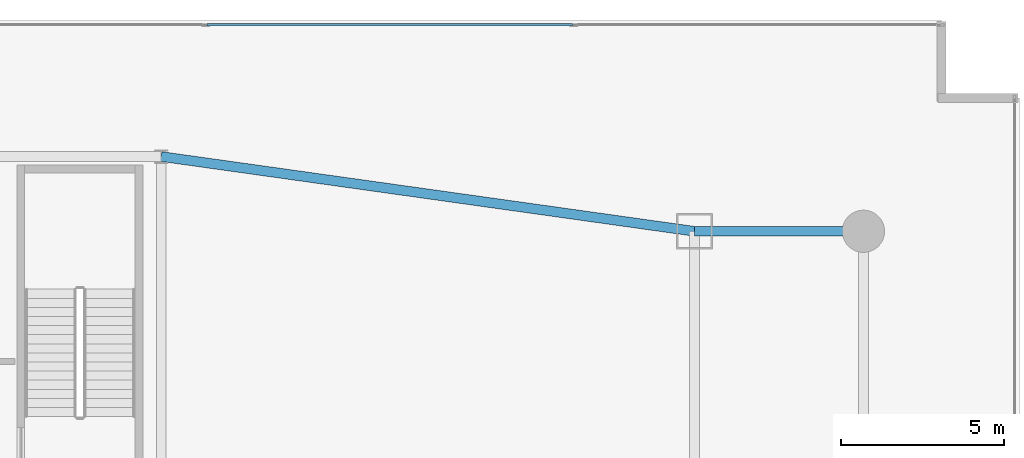
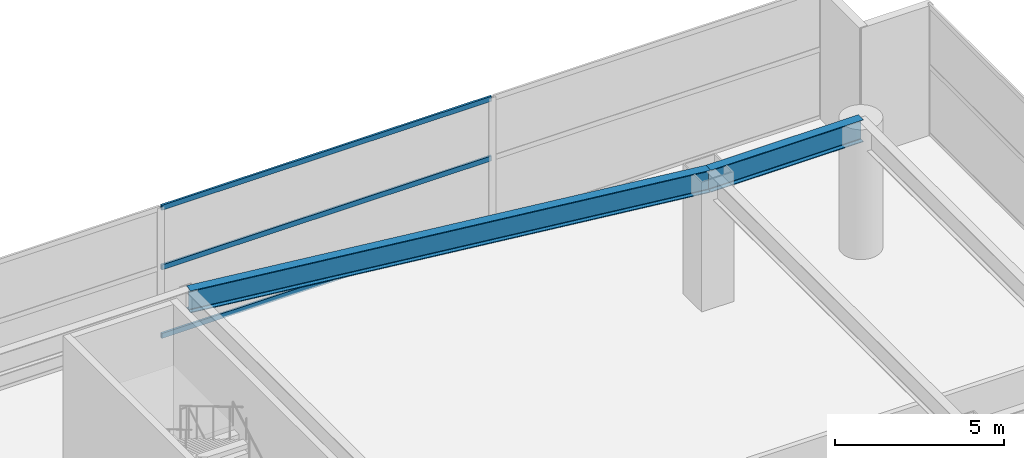
# One storey, part 27 of 35: 3 members, 2 beams, 1 element without a shape of its own.
"""IFC4 building model written with IfcOpenShell, lengths in metres."""

import ifcopenshell
import ifcopenshell.guid

model = None  # the IFC model being written
_history = None  # IfcOwnerHistory: only IFC2X3 demands one
_inside = {}  # id of a spatial element -> (the spatial element, [elements in it])
_under = {}  # id of a project, library or spatial element -> (it, [spatial elements below it])
_declared = {}  # id of a project -> (the project, [libraries it declares])
_typed = {}  # id of a type object -> (the type object, [elements of that type])
_made_of = {}  # id of a material, layer set ... -> (it, [elements and type objects made of it])


def new_model(schema):
    """Start an empty IFC model of exactly this schema.

    Asked for "IFC4X3", IfcOpenShell would pick the latest addendum, in which some entities
    have other attributes; the version numbers below select the first issue.
    IFC2X3 requires an IfcOwnerHistory on every rooted entity: one is made here for all.
    """
    global model, _history
    if schema == "IFC4X3":
        model = ifcopenshell.file(schema_version=(4, 3, 0, 0))
    else:
        model = ifcopenshell.file(schema=schema)
    _inside.clear()
    _under.clear()
    _declared.clear()
    _typed.clear()
    _made_of.clear()
    _history = None
    if model.schema == "IFC2X3":
        org = make("IfcOrganization", Name="unknown")
        user = make(
            "IfcPersonAndOrganization",
            ThePerson=make("IfcPerson", FamilyName="unknown"),
            TheOrganization=org,
        )
        app = make(
            "IfcApplication",
            ApplicationDeveloper=org,
            Version="unknown",
            ApplicationFullName="unknown",
            ApplicationIdentifier="unknown",
        )
        _history = make(
            "IfcOwnerHistory",
            OwningUser=user,
            OwningApplication=app,
            ChangeAction="ADDED",
            CreationDate=0,
        )
    return model


def make(cls, **values):
    """One entity of the class cls with the attributes given. An attribute that is None is left unset."""
    return model.create_entity(
        cls, **{name: value for name, value in values.items() if value is not None}
    )


def rooted(cls, **values):
    """An entity with a GlobalId (a new one), such as an element, a storey or a relation."""
    return make(cls, GlobalId=ifcopenshell.guid.new(), OwnerHistory=_history, **values)


def si_unit(unit_type, name, prefix=None):
    """IfcSIUnit, for example si_unit("LENGTHUNIT", "METRE", prefix="MILLI")."""
    return make("IfcSIUnit", UnitType=unit_type, Prefix=prefix, Name=name)


def assignment(units):
    """IfcUnitAssignment: the units of a project."""
    return None if units is None else make("IfcUnitAssignment", Units=units)


def point(xyz):
    """IfcCartesianPoint."""
    return None if xyz is None else make("IfcCartesianPoint", Coordinates=xyz)


def direction(xyz):
    """IfcDirection."""
    return None if xyz is None else make("IfcDirection", DirectionRatios=xyz)


def frame(location, z_axis=None, x_axis=None):
    """IfcAxis2Placement3D, a coordinate frame: its origin and axes. An axis left out is left unset."""
    return make(
        "IfcAxis2Placement3D",
        Location=point(location),
        Axis=direction(z_axis),
        RefDirection=direction(x_axis),
    )


def frame_2d(location, x_axis=None):
    """IfcAxis2Placement2D, a coordinate frame in the plane: its origin and x axis."""
    return make(
        "IfcAxis2Placement2D", Location=point(location), RefDirection=direction(x_axis)
    )


def origin():
    """The frame at (0, 0, 0) with its axes left unset."""
    return frame((0.0, 0.0, 0.0))


def origin_2d():
    """The frame at (0, 0) in the plane with its x axis left unset."""
    return frame_2d((0.0, 0.0))


def place(relative_to, where):
    """IfcLocalPlacement: puts the frame where relative to a parent placement (None: the world)."""
    return make(
        "IfcLocalPlacement", PlacementRelTo=relative_to, RelativePlacement=where
    )


def context(
    kind, dimensions, precision=None, world=None, true_north=None, identifier=None
):
    """IfcGeometricRepresentationContext, for example the 3D "Model" context."""
    return make(
        "IfcGeometricRepresentationContext",
        ContextIdentifier=identifier,
        ContextType=kind,
        CoordinateSpaceDimension=dimensions,
        Precision=precision,
        WorldCoordinateSystem=world,
        TrueNorth=true_north,
    )


def subcontext(parent, identifier, kind, view, scale=None):
    """IfcGeometricRepresentationSubContext, for example "Body" below "Model"."""
    return make(
        "IfcGeometricRepresentationSubContext",
        ContextIdentifier=identifier,
        ContextType=kind,
        ParentContext=parent,
        TargetScale=scale,
        TargetView=view,
    )


def project(units=None, contexts=None):
    """IfcProject with its units and contexts."""
    return rooted(
        "IfcProject",
        Name="project",
        RepresentationContexts=contexts,
        UnitsInContext=assignment(units),
    )


def spatial(cls, under=None, at=None, **own):
    """A site, building, storey or space (cls), placed at a placement, below another one or the project."""
    s = rooted(cls, ObjectPlacement=at, **own)
    if under is not None:
        _under.setdefault(under.id(), (under, []))[1].append(s)
    return s


def profile(cls, at=None, kind="AREA", **sizes):
    """A parametric profile (cls). Its sizes go by their IFC names, for example OverallWidth=200.0."""
    return make(cls, ProfileType=kind, Position=at, **sizes)


def hollow_rectangle(**sizes):
    """IfcRectangleHollowProfileDef."""
    return profile("IfcRectangleHollowProfileDef", **sizes)


def i_section(**sizes):
    """IfcIShapeProfileDef."""
    return profile("IfcIShapeProfileDef", **sizes)


def extrude(swept, where, along, depth):
    """IfcExtrudedAreaSolid: the profile swept, set in the frame where, extruded along a direction by depth."""
    return make(
        "IfcExtrudedAreaSolid",
        SweptArea=swept,
        Position=where,
        ExtrudedDirection=direction(along),
        Depth=depth,
    )


def shape(context_of_items, identifier, shape_type, items):
    """IfcShapeRepresentation: the items that make up one representation, for example the "Body"."""
    return make(
        "IfcShapeRepresentation",
        ContextOfItems=context_of_items,
        RepresentationIdentifier=identifier,
        RepresentationType=shape_type,
        Items=items,
    )


def material(Name=None, Category=None):
    """IfcMaterial."""
    return make("IfcMaterial", Name=Name, Category=Category)


def layer(
    of_material, thickness, ventilated=None, Name=None, Category=None, Priority=None
):
    """IfcMaterialLayer: one layer of a wall or slab, of a material (None: an air gap)."""
    return make(
        "IfcMaterialLayer",
        Material=of_material,
        LayerThickness=thickness,
        IsVentilated=ventilated,
        Name=Name,
        Category=Category,
        Priority=Priority,
    )


def layer_set(layers, Name=None):
    """IfcMaterialLayerSet."""
    return make("IfcMaterialLayerSet", MaterialLayers=layers, LayerSetName=Name)


def material_profile(
    of_material, cross_section, Name=None, Category=None, Priority=None
):
    """IfcMaterialProfile: a cross section and its material."""
    return make(
        "IfcMaterialProfile",
        Name=Name,
        Material=of_material,
        Profile=cross_section,
        Priority=Priority,
        Category=Category,
    )


def profile_set(profiles, Name=None, composite=None):
    """IfcMaterialProfileSet."""
    return make(
        "IfcMaterialProfileSet",
        Name=Name,
        MaterialProfiles=profiles,
        CompositeProfile=composite,
    )


def made_of(thing, what):
    """Note that an element or type object is made of a material, layer set ...; save() writes the relation."""
    if what is not None:
        _made_of.setdefault(what.id(), (what, []))[1].append(thing)
    return thing


def type_object(cls, material=None, **own):
    """A type object (cls), such as IfcWallType, which elements share."""
    return made_of(rooted(cls, **own), material)


def element(
    cls,
    number,
    at=None,
    inside=None,
    cuts=None,
    type_object=None,
    material=None,
    context=None,
    identifier="Body",
    shape_type=None,
    held_by="IfcProductDefinitionShape",
    body=None,
    shapes=None,
    **own,
):
    """One element of the class cls, such as IfcWall. Its Tag is "e" and its number.

    at: its placement. inside: the storey or other place that contains it. cuts: it is an
    opening in that element (IfcRelVoidsElement). A single representation is given by context,
    identifier, shape_type and body (its items); several are given by shapes. held_by: the class
    of the entity that holds the representations. save() writes the other relations.
    """
    e = rooted(cls, Tag="e%d" % number, ObjectPlacement=at, **own)
    if body is not None:
        shapes = [shape(context, identifier, shape_type, body)]
    if shapes is not None:
        e.Representation = make(held_by, Representations=shapes)
    if inside is not None:
        _inside.setdefault(inside.id(), (inside, []))[1].append(e)
    if cuts is not None:
        rooted(
            "IfcRelVoidsElement", RelatingBuildingElement=cuts, RelatedOpeningElement=e
        )
    if type_object is not None:
        _typed.setdefault(type_object.id(), (type_object, []))[1].append(e)
    return made_of(e, material)


def aggregate(whole, parts):
    """IfcRelAggregates: a whole, such as a stair, and the parts it consists of."""
    return rooted("IfcRelAggregates", RelatingObject=whole, RelatedObjects=parts)


def save(model, path):
    """Write the relations noted so far, then the file.

    IfcRelAggregates (storeys below a building ...), IfcRelContainedInSpatialStructure (elements
    in a storey), IfcRelDefinesByType, IfcRelAssociatesMaterial and IfcRelDeclares: one each for
    every whole, place, type object, material and project.
    """
    for whole, parts in _under.values():
        aggregate(whole, parts)
    for where, things in _inside.values():
        rooted(
            "IfcRelContainedInSpatialStructure",
            RelatedElements=things,
            RelatingStructure=where,
        )
    for kind, things in _typed.values():
        rooted("IfcRelDefinesByType", RelatedObjects=things, RelatingType=kind)
    for what, things in _made_of.values():
        rooted("IfcRelAssociatesMaterial", RelatedObjects=things, RelatingMaterial=what)
    for by, libraries in _declared.values():
        rooted("IfcRelDeclares", RelatingContext=by, RelatedDefinitions=libraries)
    model.write(path)


model = new_model("IFC4")

# Units and contexts
model_context = context("Model", 3, precision=1e-05, world=origin(), true_north=direction((0.0, 1.0)))
body_context = subcontext(model_context, "Body", "Model", "MODEL_VIEW")
ifc_project = project(units=[si_unit("LENGTHUNIT", "METRE"), si_unit("AREAUNIT", "SQUARE_METRE"), si_unit("VOLUMEUNIT", "CUBIC_METRE"), si_unit("PLANEANGLEUNIT", "RADIAN"), si_unit("MASSUNIT", "GRAM", prefix="KILO")], contexts=[model_context])

# Site, building, storey
site_placement = place(None, origin())
site = spatial("IfcSite", under=ifc_project, at=site_placement, CompositionType="ELEMENT")
building_placement = place(site_placement, origin())
building = spatial("IfcBuilding", under=site, at=building_placement, Name="Calvorn Quay Hotel", CompositionType="ELEMENT")
storey_placement = place(building_placement, frame((0.0, 0.0, 12.0)))
storey = spatial("IfcBuildingStorey", under=building, at=storey_placement, Name="L02", CompositionType="ELEMENT", Elevation=12.0)

# Beams
ifc_material_1 = material(Name="Steel Q390GJC", Category="steel")
ifc_material_profile_1 = material_profile(ifc_material_1, i_section(OverallWidth=0.300048828125, OverallDepth=0.800048828125, WebThickness=0.013916015625, FlangeThickness=0.02587890625, FilletRadius=0.02392578125, at=origin_2d()), Name="HN800x300x14x26")
ifc_profile_set_1 = profile_set([ifc_material_profile_1], Name="Steel Q390GJC")
beam_type = type_object("IfcBeamType", Name="BM-GIRD-POD", PredefinedType="BEAM", material=ifc_profile_set_1)
beam_1_placement = place(storey_placement, frame((57.60009765625, 53.800048828125, 4.280029296875), z_axis=(0.990308033684, -0.138888438761, 0.0), x_axis=(0.138888438761, 0.990308033684, 0.0)))
element("IfcBeam", 1, at=beam_1_placement, inside=storey, type_object=beam_type, Name="Beam BG-L02-PN7", PredefinedType="BEAM", context=body_context, shape_type="SweptSolid", body=[
    extrude(i_section(OverallWidth=0.300048828125, OverallDepth=0.800048828125, WebThickness=0.013916015625, FlangeThickness=0.02587890625, FilletRadius=0.02392578125, at=origin_2d()), origin(), (0.0, 0.0, 1.0), 16.560302734375),
])
beam_2_placement = place(storey_placement, frame((74.0, 51.5, 4.280029296875), z_axis=(1.0, 0.0, 0.0), x_axis=(0.0, 1.0, 0.0)))
element("IfcBeam", 2, at=beam_2_placement, inside=storey, type_object=beam_type, Name="Beam BG-L02-EQ5", PredefinedType="BEAM", context=body_context, shape_type="SweptSolid", body=[
    extrude(i_section(OverallWidth=0.300048828125, OverallDepth=0.800048828125, WebThickness=0.013916015625, FlangeThickness=0.02587890625, FilletRadius=0.02392578125, at=origin_2d()), origin(), (0.0, 0.0, 1.0), 5.199951171875),
])

# Curtain wall, members
ifc_material_2 = material(Name="Pale Anodised Aluminium and Low-E Glass", Category="aluminium")
ifc_layer = layer(ifc_material_2, 0.219970703125)
ifc_layer_set = layer_set([ifc_layer], Name="CW-SYS-POD")
curtain_wall_type = type_object("IfcCurtainWallType", Name="CW-SYS-POD", PredefinedType="NOTDEFINED", material=ifc_layer_set)
curtain_wall_placement = place(storey_placement, origin())
curtain_wall = element("IfcCurtainWall", 3, at=curtain_wall_placement, inside=storey, type_object=curtain_wall_type, Name="Podium Curtain Wall L02-N1", PredefinedType="NOTDEFINED")
ifc_material_3 = material(Name="Pale Anodised Aluminium 6063-T6", Category="aluminium")
ifc_material_profile_2 = material_profile(ifc_material_3, hollow_rectangle(XDim=0.070068359375, YDim=0.179931640625, WallThickness=0.00390625, at=origin_2d()), Name="ALU-T180x70x4")
ifc_profile_set_2 = profile_set([ifc_material_profile_2], Name="Pale Anodised Aluminium 6063-T6")
member_type = type_object("IfcMemberType", Name="CW-SYS-POD-TRN", PredefinedType="USERDEFINED", material=ifc_profile_set_2)
member_1_placement = place(storey_placement, frame((59.00146484375, 57.85009765625, 0.030029296875), z_axis=(1.0, 0.0, 0.0), x_axis=(0.0, 1.0, 0.0)))
member_1 = element("IfcMember", 4, at=member_1_placement, type_object=member_type, Name="CW-L02-N1 transom 6.1", ObjectType="TRANSOM", PredefinedType="USERDEFINED", context=body_context, shape_type="SweptSolid", body=[
    extrude(hollow_rectangle(XDim=0.070068359375, YDim=0.179931640625, WallThickness=0.00390625, at=origin_2d()), origin(), (0.0, 0.0, 1.0), 11.254150390625),
])
member_2_placement = place(storey_placement, frame((59.00146484375, 57.85009765625, 2.5), z_axis=(1.0, 0.0, 0.0), x_axis=(0.0, 1.0, 0.0)))
member_2 = element("IfcMember", 5, at=member_2_placement, type_object=member_type, Name="CW-L02-N1 transom 6.2", ObjectType="TRANSOM", PredefinedType="USERDEFINED", context=body_context, shape_type="SweptSolid", body=[
    extrude(hollow_rectangle(XDim=0.070068359375, YDim=0.179931640625, WallThickness=0.00390625, at=origin_2d()), origin(), (0.0, 0.0, 1.0), 11.254150390625),
])
member_3_placement = place(storey_placement, frame((59.00146484375, 57.85009765625, 4.64990234375), z_axis=(1.0, 0.0, 0.0), x_axis=(0.0, 1.0, 0.0)))
member_3 = element("IfcMember", 6, at=member_3_placement, type_object=member_type, Name="CW-L02-N1 transom 6.3", ObjectType="TRANSOM", PredefinedType="USERDEFINED", context=body_context, shape_type="SweptSolid", body=[
    extrude(hollow_rectangle(XDim=0.070068359375, YDim=0.179931640625, WallThickness=0.00390625, at=origin_2d()), origin(), (0.0, 0.0, 1.0), 11.254150390625),
])
aggregate(curtain_wall, [member_1, member_2, member_3])

save(model, "model.ifc")
